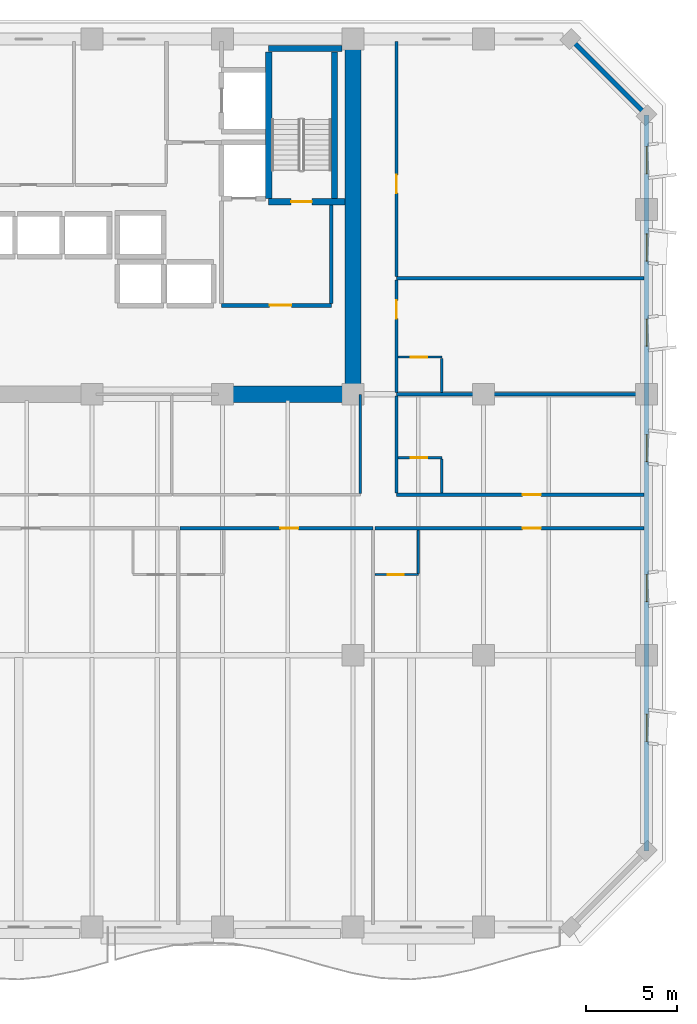
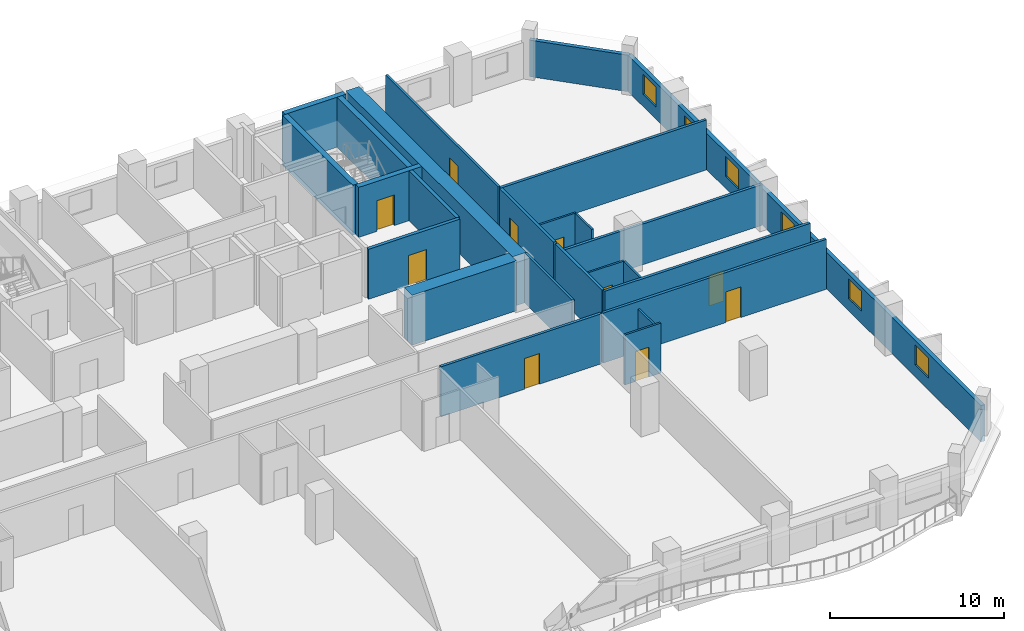
# One storey, part 10 of 15: 25 walls, 10 doors, 6 windows, 16 openings.
"""IFC4 building model written with IfcOpenShell, lengths in metres."""

from ifc_helpers import new_model, si_unit, direction, frame, frame_2d, origin, place, context, subcontext, project, spatial, rectangle, extrude, material, layer, layer_set, type_object, element, fill, save


model = new_model("IFC4")

# Units and contexts
model_context = context("Model", 3, precision=1e-05, world=origin(), true_north=direction((0.0, 1.0)))
body_context = subcontext(model_context, "Body", "Model", "MODEL_VIEW")
ifc_project = project(units=[si_unit("LENGTHUNIT", "METRE"), si_unit("AREAUNIT", "SQUARE_METRE"), si_unit("VOLUMEUNIT", "CUBIC_METRE"), si_unit("PLANEANGLEUNIT", "RADIAN"), si_unit("MASSUNIT", "GRAM", prefix="KILO")], contexts=[model_context])

# Site, building, storey
site_placement = place(None, origin())
site = spatial("IfcSite", under=ifc_project, at=site_placement, CompositionType="ELEMENT")
building_placement = place(site_placement, origin())
building = spatial("IfcBuilding", under=site, at=building_placement, Name="Kaelvorn Grand Hotel", CompositionType="ELEMENT")
storey_placement = place(building_placement, frame((0.0, 0.0, 100.550048828125)))
storey = spatial("IfcBuildingStorey", under=building, at=storey_placement, Name="L23", CompositionType="ELEMENT", Elevation=100.550048828125)

# Walls
ifc_material_1 = material(Name="Concrete C60/75", Category="concrete")
ifc_layer_1 = layer(ifc_material_1, 0.89990234375)
ifc_layer_set_1 = layer_set([ifc_layer_1], Name="Concrete C60/75")
wall_type_1 = type_object("IfcWallType", Name="WL-CORE-900-C60", PredefinedType="SHEAR", material=ifc_layer_set_1)
wall_1_placement = place(storey_placement, frame((67.800048828125, 29.39990234375, 0.0), z_axis=(0.0, 0.0, 1.0), x_axis=(0.0, 1.0, 0.0)))
element("IfcWall", 1, at=wall_1_placement, inside=storey, type_object=wall_type_1, Name="L23 Rear-Core East Shear Wall", PredefinedType="SHEAR", context=body_context, shape_type="SweptSolid", body=[
    extrude(rectangle(XDim=19.2001953125, YDim=0.89990234375, at=frame_2d((9.60009765625, 0.0))), origin(), (0.0, 0.0, 1.0), 3.510009765625),
])
wall_2_placement = place(storey_placement, frame((60.39990234375, 29.39990234375, 0.0), z_axis=(0.0, 0.0, 1.0), x_axis=(1.0, 0.0, 0.0)))
element("IfcWall", 2, at=wall_2_placement, inside=storey, type_object=wall_type_1, Name="L23 Rear-Core Coupled Shear Pier S4", PredefinedType="SHEAR", context=body_context, shape_type="SweptSolid", body=[
    extrude(rectangle(XDim=6.945068359375, YDim=0.89990234375, at=frame_2d((3.47265625, 0.0))), origin(), (0.0, 0.0, 1.0), 3.510009765625),
])

# Wall, openings, windows
ifc_material_2 = material(Name="Concrete C40/50", Category="concrete")
ifc_layer_2 = layer(ifc_material_2, 0.260009765625)
ifc_layer_set_2 = layer_set([ifc_layer_2], Name="Concrete C40/50")
wall_type_2 = type_object("IfcWallType", Name="WL-EXT-260-C40", PredefinedType="SOLIDWALL", material=ifc_layer_set_2)
wall_3_placement = place(storey_placement, frame((84.0, 4.199951171875, 0.0), z_axis=(0.0, 0.0, 1.0), x_axis=(0.0, 1.0, 0.0)))
wall_3 = element("IfcWall", 3, at=wall_3_placement, inside=storey, type_object=wall_type_2, Name="L23 Exterior Architectural Concrete Wall 03", PredefinedType="SOLIDWALL", context=body_context, shape_type="SweptSolid", body=[
    extrude(rectangle(XDim=40.60009765625, YDim=0.260009765625, at=frame_2d((20.300048828125, 0.0))), origin(), (0.0, 0.0, 1.0), 2.56005859375),
])
opening_1_placement = place(wall_3_placement, frame((6.050048828125, 0.0, 0.85009765625)))
opening_1 = element("IfcOpeningElement", 4, at=opening_1_placement, cuts=wall_3, Name="Opening W10", PredefinedType="OPENING", context=body_context, shape_type="SweptSolid", body=[
    extrude(rectangle(XDim=1.5, YDim=1.39990234375, at=frame_2d((0.75, 0.699951171875))), frame((0.0, 0.14013671875, 0.0), z_axis=(0.0, -1.0, 0.0), x_axis=(1.0, 0.0, 0.0)), (0.0, 0.0, 1.0), 0.280029296875),
])
opening_2_placement = place(wall_3_placement, frame((13.75, 0.0, 0.85009765625)))
opening_2 = element("IfcOpeningElement", 5, at=opening_2_placement, cuts=wall_3, Name="Opening W10", PredefinedType="OPENING", context=body_context, shape_type="SweptSolid", body=[
    extrude(rectangle(XDim=1.5, YDim=1.39990234375, at=frame_2d((0.75, 0.699951171875))), frame((0.0, 0.14013671875, 0.0), z_axis=(0.0, -1.0, 0.0), x_axis=(1.0, 0.0, 0.0)), (0.0, 0.0, 1.0), 0.280029296875),
])
opening_3_placement = place(wall_3_placement, frame((21.47509765625, 0.0, 0.85009765625)))
opening_3 = element("IfcOpeningElement", 6, at=opening_3_placement, cuts=wall_3, Name="Opening W10", PredefinedType="OPENING", context=body_context, shape_type="SweptSolid", body=[
    extrude(rectangle(XDim=1.5, YDim=1.39990234375, at=frame_2d((0.75, 0.699951171875))), frame((0.0, 0.14013671875, 0.0), z_axis=(0.0, -1.0, 0.0), x_axis=(1.0, 0.0, 0.0)), (0.0, 0.0, 1.0), 0.280029296875),
])
opening_4_placement = place(wall_3_placement, frame((27.85009765625, 0.0, 0.85009765625)))
opening_4 = element("IfcOpeningElement", 7, at=opening_4_placement, cuts=wall_3, Name="Opening W10", PredefinedType="OPENING", context=body_context, shape_type="SweptSolid", body=[
    extrude(rectangle(XDim=1.5, YDim=1.39990234375, at=frame_2d((0.75, 0.699951171875))), frame((0.0, 0.14013671875, 0.0), z_axis=(0.0, -1.0, 0.0), x_axis=(1.0, 0.0, 0.0)), (0.0, 0.0, 1.0), 0.280029296875),
])
opening_5_placement = place(wall_3_placement, frame((32.550048828125, 0.0, 0.85009765625)))
opening_5 = element("IfcOpeningElement", 8, at=opening_5_placement, cuts=wall_3, Name="Opening W10", PredefinedType="OPENING", context=body_context, shape_type="SweptSolid", body=[
    extrude(rectangle(XDim=1.5, YDim=1.39990234375, at=frame_2d((0.75, 0.699951171875))), frame((0.0, 0.14013671875, 0.0), z_axis=(0.0, -1.0, 0.0), x_axis=(1.0, 0.0, 0.0)), (0.0, 0.0, 1.0), 0.280029296875),
])
opening_6_placement = place(wall_3_placement, frame((37.364990234375, 0.0, 0.85009765625)))
opening_6 = element("IfcOpeningElement", 9, at=opening_6_placement, cuts=wall_3, Name="Opening W10", PredefinedType="OPENING", context=body_context, shape_type="SweptSolid", body=[
    extrude(rectangle(XDim=1.5, YDim=1.39990234375, at=frame_2d((0.75, 0.699951171875))), frame((0.0, 0.14013671875, 0.0), z_axis=(0.0, -1.0, 0.0), x_axis=(1.0, 0.0, 0.0)), (0.0, 0.0, 1.0), 0.280029296875),
])
ifc_material_3 = material(Name="Laminated Low-E Glass", Category="glass")
window_type = type_object("IfcWindowType", Name="WIN-COR-1500x1400", PartitioningType="SINGLE_PANEL", PredefinedType="WINDOW", material=ifc_material_3)
window_1_placement = place(opening_1_placement, origin())
window_1 = element("IfcWindow", 10, at=window_1_placement, inside=storey, type_object=window_type, Name="L23 E Wing Tilted-Frame Ribbon Window E01", OverallHeight=1.39990234375, OverallWidth=1.5, PartitioningType="SINGLE_PANEL", PredefinedType="WINDOW", context=body_context, shape_type="SweptSolid", body=[
    extrude(rectangle(XDim=1.5, YDim=1.39990234375, at=frame_2d((0.75, 0.699951171875))), frame((0.0, 0.030029296875, 0.0), z_axis=(0.0, -1.0, 0.0), x_axis=(1.0, 0.0, 0.0)), (0.0, 0.0, 1.0), 0.06005859375),
])
fill(opening_1, window_1)
window_2_placement = place(opening_2_placement, origin())
window_2 = element("IfcWindow", 11, at=window_2_placement, inside=storey, type_object=window_type, Name="L23 E Wing Tilted-Frame Ribbon Window E02", OverallHeight=1.39990234375, OverallWidth=1.5, PartitioningType="SINGLE_PANEL", PredefinedType="WINDOW", context=body_context, shape_type="SweptSolid", body=[
    extrude(rectangle(XDim=1.5, YDim=1.39990234375, at=frame_2d((0.75, 0.699951171875))), frame((0.0, 0.030029296875, 0.0), z_axis=(0.0, -1.0, 0.0), x_axis=(1.0, 0.0, 0.0)), (0.0, 0.0, 1.0), 0.06005859375),
])
fill(opening_2, window_2)
window_3_placement = place(opening_3_placement, origin())
window_3 = element("IfcWindow", 12, at=window_3_placement, inside=storey, type_object=window_type, Name="L23 E Wing Tilted-Frame Ribbon Window E03", OverallHeight=1.39990234375, OverallWidth=1.5, PartitioningType="SINGLE_PANEL", PredefinedType="WINDOW", context=body_context, shape_type="SweptSolid", body=[
    extrude(rectangle(XDim=1.5, YDim=1.39990234375, at=frame_2d((0.75, 0.699951171875))), frame((0.0, 0.030029296875, 0.0), z_axis=(0.0, -1.0, 0.0), x_axis=(1.0, 0.0, 0.0)), (0.0, 0.0, 1.0), 0.06005859375),
])
fill(opening_3, window_3)
window_4_placement = place(opening_4_placement, origin())
window_4 = element("IfcWindow", 13, at=window_4_placement, inside=storey, type_object=window_type, Name="L23 E Wing Tilted-Frame Ribbon Window E04", OverallHeight=1.39990234375, OverallWidth=1.5, PartitioningType="SINGLE_PANEL", PredefinedType="WINDOW", context=body_context, shape_type="SweptSolid", body=[
    extrude(rectangle(XDim=1.5, YDim=1.39990234375, at=frame_2d((0.75, 0.699951171875))), frame((0.0, 0.030029296875, 0.0), z_axis=(0.0, -1.0, 0.0), x_axis=(1.0, 0.0, 0.0)), (0.0, 0.0, 1.0), 0.06005859375),
])
fill(opening_4, window_4)
window_5_placement = place(opening_5_placement, origin())
window_5 = element("IfcWindow", 14, at=window_5_placement, inside=storey, type_object=window_type, Name="L23 E Wing Tilted-Frame Ribbon Window E05", OverallHeight=1.39990234375, OverallWidth=1.5, PartitioningType="SINGLE_PANEL", PredefinedType="WINDOW", context=body_context, shape_type="SweptSolid", body=[
    extrude(rectangle(XDim=1.5, YDim=1.39990234375, at=frame_2d((0.75, 0.699951171875))), frame((0.0, 0.030029296875, 0.0), z_axis=(0.0, -1.0, 0.0), x_axis=(1.0, 0.0, 0.0)), (0.0, 0.0, 1.0), 0.06005859375),
])
fill(opening_5, window_5)
window_6_placement = place(opening_6_placement, origin())
window_6 = element("IfcWindow", 15, at=window_6_placement, inside=storey, type_object=window_type, Name="L23 E Wing Tilted-Frame Ribbon Window E06", OverallHeight=1.39990234375, OverallWidth=1.5, PartitioningType="SINGLE_PANEL", PredefinedType="WINDOW", context=body_context, shape_type="SweptSolid", body=[
    extrude(rectangle(XDim=1.5, YDim=1.39990234375, at=frame_2d((0.75, 0.699951171875))), frame((0.0, 0.030029296875, 0.0), z_axis=(0.0, -1.0, 0.0), x_axis=(1.0, 0.0, 0.0)), (0.0, 0.0, 1.0), 0.06005859375),
])
fill(opening_6, window_6)

# Wall
wall_4_placement = place(storey_placement, frame((84.0, 44.800048828125, 0.0), z_axis=(0.0, 0.0, 1.0), x_axis=(-0.707106781187, 0.707106781187, 0.0)))
element("IfcWall", 16, at=wall_4_placement, inside=storey, type_object=wall_type_2, Name="L23 Exterior Architectural Concrete Wall 04", PredefinedType="SOLIDWALL", context=body_context, shape_type="SweptSolid", body=[
    extrude(rectangle(XDim=5.939697265625, YDim=0.260009765625, at=frame_2d((2.9697265625, 0.0))), origin(), (0.0, 0.0, 1.0), 2.56005859375),
])

# Wall, opening, door
ifc_material_4 = material(Name="Moisture-Resistant Tile & Stud Board")
ifc_layer_3 = layer(ifc_material_4, 0.125)
ifc_layer_set_3 = layer_set([ifc_layer_3], Name="Moisture-Resistant Tile & Stud Board")
wall_type_3 = type_object("IfcWallType", Name="WL-PART-125-WET", PredefinedType="PARTITIONING", material=ifc_layer_set_3)
wall_5_placement = place(storey_placement, frame((69.00244140625, 19.449951171875, 0.0), z_axis=(0.0, 0.0, 1.0), x_axis=(1.0, 0.0, 0.0)))
wall_5 = element("IfcWall", 17, at=wall_5_placement, inside=storey, type_object=wall_type_3, Name="L23 En-suite Bathroom L23-07 S Partition", PredefinedType="PARTITIONING", context=body_context, shape_type="SweptSolid", body=[
    extrude(rectangle(XDim=2.405029296875, YDim=0.125, at=frame_2d((1.20263671875, 0.0))), origin(), (0.0, 0.0, 1.0), 3.510009765625),
])
opening_7_placement = place(wall_5_placement, frame((0.705078125, 0.0, 0.0)))
opening_7 = element("IfcOpeningElement", 18, at=opening_7_placement, cuts=wall_5, Name="Opening DI4", PredefinedType="OPENING", context=body_context, shape_type="SweptSolid", body=[
    extrude(rectangle(XDim=0.89990234375, YDim=2.10009765625, at=frame_2d((0.449951171875, 1.050048828125))), frame((0.0, 0.072509765625, 0.0), z_axis=(0.0, -1.0, 0.0), x_axis=(1.0, 0.0, 0.0)), (0.0, 0.0, 1.0), 0.14501953125),
])
ifc_material_5 = material(Name="Timber Veneer Leaf", Category="wood")
door_type_1 = type_object("IfcDoorType", Name="DR-INT-BATH-900x2100", OperationType="NOTDEFINED", PredefinedType="DOOR", material=ifc_material_5)
door_1_placement = place(opening_7_placement, origin())
door_1 = element("IfcDoor", 19, at=door_1_placement, inside=storey, type_object=door_type_1, Name="L23 En-suite Bathroom L23-07 Door", OperationType="SINGLE_SWING_LEFT", OverallHeight=2.10009765625, OverallWidth=0.89990234375, PredefinedType="DOOR", context=body_context, shape_type="SweptSolid", body=[
    extrude(rectangle(XDim=0.89990234375, YDim=2.10009765625, at=frame_2d((0.449951171875, 1.050048828125))), frame((0.0, 0.02490234375, 0.0), z_axis=(0.0, -1.0, 0.0), x_axis=(1.0, 0.0, 0.0)), (0.0, 0.0, 1.0), 0.050048828125),
])
fill(opening_7, door_1)

# Wall
wall_6_placement = place(storey_placement, frame((71.407470703125, 19.517578125, 0.0), z_axis=(0.0, 0.0, 1.0), x_axis=(0.0, 1.0, 0.0)))
element("IfcWall", 20, at=wall_6_placement, inside=storey, type_object=wall_type_3, Name="L23 En-suite Bathroom L23-07 E Partition", PredefinedType="PARTITIONING", context=body_context, shape_type="SweptSolid", body=[
    extrude(rectangle(XDim=2.387451171875, YDim=0.125, at=frame_2d((1.19384765625, 0.0))), origin(), (0.0, 0.0, 1.0), 2.976806640625),
])

# Wall, opening, door
wall_7_placement = place(storey_placement, frame((70.294921875, 25.89990234375, 0.0), z_axis=(0.0, 0.0, 1.0), x_axis=(1.0, 0.0, 0.0)))
wall_7 = element("IfcWall", 21, at=wall_7_placement, inside=storey, type_object=wall_type_3, Name="L23 En-suite Bathroom L23-09 N Partition", PredefinedType="PARTITIONING", context=body_context, shape_type="SweptSolid", body=[
    extrude(rectangle(XDim=2.405029296875, YDim=0.125, at=frame_2d((1.20263671875, 0.0))), origin(), (0.0, 0.0, 1.0), 3.510009765625),
])
opening_8_placement = place(wall_7_placement, frame((0.705078125, 0.0, 0.0)))
opening_8 = element("IfcOpeningElement", 22, at=opening_8_placement, cuts=wall_7, Name="Opening DI4", PredefinedType="OPENING", context=body_context, shape_type="SweptSolid", body=[
    extrude(rectangle(XDim=0.89990234375, YDim=2.10009765625, at=frame_2d((0.449951171875, 1.050048828125))), frame((0.0, 0.072509765625, 0.0), z_axis=(0.0, -1.0, 0.0), x_axis=(1.0, 0.0, 0.0)), (0.0, 0.0, 1.0), 0.14501953125),
])
door_2_placement = place(opening_8_placement, origin())
door_2 = element("IfcDoor", 23, at=door_2_placement, inside=storey, type_object=door_type_1, Name="L23 En-suite Bathroom L23-09 Door", OperationType="SINGLE_SWING_LEFT", OverallHeight=2.10009765625, OverallWidth=0.89990234375, PredefinedType="DOOR", context=body_context, shape_type="SweptSolid", body=[
    extrude(rectangle(XDim=0.89990234375, YDim=2.10009765625, at=frame_2d((0.449951171875, 1.050048828125))), frame((0.0, 0.02490234375, 0.0), z_axis=(0.0, -1.0, 0.0), x_axis=(1.0, 0.0, 0.0)), (0.0, 0.0, 1.0), 0.050048828125),
])
fill(opening_8, door_2)

# Wall
wall_8_placement = place(storey_placement, frame((72.699951171875, 23.945068359375, 0.0), z_axis=(0.0, 0.0, 1.0), x_axis=(0.0, 1.0, 0.0)))
element("IfcWall", 24, at=wall_8_placement, inside=storey, type_object=wall_type_3, Name="L23 En-suite Bathroom L23-09 E Partition", PredefinedType="PARTITIONING", context=body_context, shape_type="SweptSolid", body=[
    extrude(rectangle(XDim=1.887451171875, YDim=0.125, at=frame_2d((0.94384765625, 0.0))), origin(), (0.0, 0.0, 1.0), 3.510009765625),
])

# Wall, opening, door
wall_9_placement = place(storey_placement, frame((70.294921875, 31.449951171875, 0.0), z_axis=(0.0, 0.0, 1.0), x_axis=(1.0, 0.0, 0.0)))
wall_9 = element("IfcWall", 25, at=wall_9_placement, inside=storey, type_object=wall_type_3, Name="L23 En-suite Bathroom L23-11 N Partition", PredefinedType="PARTITIONING", context=body_context, shape_type="SweptSolid", body=[
    extrude(rectangle(XDim=2.405029296875, YDim=0.125, at=frame_2d((1.20263671875, 0.0))), origin(), (0.0, 0.0, 1.0), 3.510009765625),
])
opening_9_placement = place(wall_9_placement, frame((0.705078125, 0.0, 0.0)))
opening_9 = element("IfcOpeningElement", 26, at=opening_9_placement, cuts=wall_9, Name="Opening DI4", PredefinedType="OPENING", context=body_context, shape_type="SweptSolid", body=[
    extrude(rectangle(XDim=0.89990234375, YDim=2.10009765625, at=frame_2d((0.449951171875, 1.050048828125))), frame((0.0, 0.072509765625, 0.0), z_axis=(0.0, -1.0, 0.0), x_axis=(1.0, 0.0, 0.0)), (0.0, 0.0, 1.0), 0.14501953125),
])
door_3_placement = place(opening_9_placement, origin())
door_3 = element("IfcDoor", 27, at=door_3_placement, inside=storey, type_object=door_type_1, Name="L23 En-suite Bathroom L23-11 Door", OperationType="SINGLE_SWING_RIGHT", OverallHeight=2.10009765625, OverallWidth=0.89990234375, PredefinedType="DOOR", context=body_context, shape_type="SweptSolid", body=[
    extrude(rectangle(XDim=0.89990234375, YDim=2.10009765625, at=frame_2d((0.449951171875, 1.050048828125))), frame((0.0, 0.02490234375, 0.0), z_axis=(0.0, -1.0, 0.0), x_axis=(1.0, 0.0, 0.0)), (0.0, 0.0, 1.0), 0.050048828125),
])
fill(opening_9, door_3)

# Walls
wall_10_placement = place(storey_placement, frame((72.699951171875, 29.4951171875, 0.0), z_axis=(0.0, 0.0, 1.0), x_axis=(0.0, 1.0, 0.0)))
element("IfcWall", 28, at=wall_10_placement, inside=storey, type_object=wall_type_3, Name="L23 En-suite Bathroom L23-11 E Partition", PredefinedType="PARTITIONING", context=body_context, shape_type="SweptSolid", body=[
    extrude(rectangle(XDim=1.887451171875, YDim=0.125, at=frame_2d((0.94384765625, 0.0))), origin(), (0.0, 0.0, 1.0), 3.510009765625),
])
ifc_material_6 = material(Name="Acoustic Gypsum & Stud Partition")
ifc_layer_4 = layer(ifc_material_6, 0.14990234375)
ifc_layer_set_4 = layer_set([ifc_layer_4], Name="Acoustic Gypsum & Stud Partition")
wall_type_4 = type_object("IfcWallType", Name="WL-PART-150-EI60", PredefinedType="PARTITIONING", material=ifc_layer_set_4)
wall_11_placement = place(storey_placement, frame((68.199951171875, 23.929931640625, 0.0), z_axis=(0.0, 0.0, 1.0), x_axis=(0.0, 1.0, 0.0)))
element("IfcWall", 29, at=wall_11_placement, inside=storey, type_object=wall_type_4, Name="L23 Executive Law Office E Partition", PredefinedType="PARTITIONING", context=body_context, shape_type="SweptSolid", body=[
    extrude(rectangle(XDim=5.4599609375, YDim=0.14990234375, at=frame_2d((2.72998046875, 0.0))), origin(), (0.0, 0.0, 1.0), 3.510009765625),
])

# Wall, opening, door
wall_12_placement = place(storey_placement, frame((70.199951171875, 35.89501953125, 0.0), z_axis=(0.0, 0.0, 1.0), x_axis=(0.0, 1.0, 0.0)))
wall_12 = element("IfcWall", 30, at=wall_12_placement, inside=storey, type_object=wall_type_4, Name="L23 North-East Summit Conference Room W Partition", PredefinedType="PARTITIONING", context=body_context, shape_type="SweptSolid", body=[
    extrude(rectangle(XDim=12.955078125, YDim=0.14990234375, at=frame_2d((6.4775390625, 0.0))), origin(), (0.0, 0.0, 1.0), 3.510009765625),
])
opening_10_placement = place(wall_12_placement, frame((4.60498046875, 0.0, 0.0)))
opening_10 = element("IfcOpeningElement", 31, at=opening_10_placement, cuts=wall_12, Name="Opening DI3", PredefinedType="OPENING", context=body_context, shape_type="SweptSolid", body=[
    extrude(rectangle(XDim=1.0, YDim=2.14990234375, at=frame_2d((0.5, 1.074951171875))), frame((0.0, 0.0849609375, 0.0), z_axis=(0.0, -1.0, 0.0), x_axis=(1.0, 0.0, 0.0)), (0.0, 0.0, 1.0), 0.169921875),
])
ifc_material_7 = material(Name="Timber Veneer Fire Leaf", Category="wood")
door_type_2 = type_object("IfcDoorType", Name="DR-INT-GUEST-1000x2150", OperationType="NOTDEFINED", PredefinedType="DOOR", material=ifc_material_7)
door_4_placement = place(opening_10_placement, origin())
door_4 = element("IfcDoor", 32, at=door_4_placement, inside=storey, type_object=door_type_2, Name="L23 North-East Summit Conference Room Door", OperationType="SINGLE_SWING_LEFT", OverallHeight=2.14990234375, OverallWidth=1.0, PredefinedType="DOOR", context=body_context, shape_type="SweptSolid", body=[
    extrude(rectangle(XDim=1.0, YDim=2.14990234375, at=frame_2d((0.5, 1.074951171875))), frame((0.0, 0.02490234375, 0.0), z_axis=(0.0, -1.0, 0.0), x_axis=(1.0, 0.0, 0.0)), (0.0, 0.0, 1.0), 0.050048828125),
])
fill(opening_10, door_4)

ifc_layer_5 = layer(ifc_material_6, 0.179931640625)
ifc_layer_set_5 = layer_set([ifc_layer_5], Name="Acoustic Gypsum & Stud Partition")
wall_type_5 = type_object("IfcWallType", Name="WL-PART-180-EI60", PredefinedType="PARTITIONING", material=ifc_layer_set_5)
wall_13_placement = place(storey_placement, frame((58.259521484375, 22.0, 0.0), z_axis=(0.0, 0.0, 1.0), x_axis=(1.0, 0.0, 0.0)))
wall_13 = element("IfcWall", 33, at=wall_13_placement, inside=storey, type_object=wall_type_5, Name="L23 Deluxe Panoramic Suite L23-06 N Partition", PredefinedType="PARTITIONING", context=body_context, shape_type="SweptSolid", body=[
    extrude(rectangle(XDim=10.64794921875, YDim=0.179931640625, at=frame_2d((5.323974609375, 0.0))), origin(), (0.0, 0.0, 1.0), 3.510009765625),
])
opening_11_placement = place(wall_13_placement, frame((5.53271484375, 0.0, 0.0)))
opening_11 = element("IfcOpeningElement", 34, at=opening_11_placement, cuts=wall_13, Name="Opening DI3", PredefinedType="OPENING", context=body_context, shape_type="SweptSolid", body=[
    extrude(rectangle(XDim=1.0, YDim=2.14990234375, at=frame_2d((0.5, 1.074951171875))), frame((0.0, 0.10009765625, 0.0), z_axis=(0.0, -1.0, 0.0), x_axis=(1.0, 0.0, 0.0)), (0.0, 0.0, 1.0), 0.199951171875),
])
door_5_placement = place(opening_11_placement, origin())
door_5 = element("IfcDoor", 35, at=door_5_placement, inside=storey, type_object=door_type_2, Name="L23 Deluxe Panoramic Suite L23-06 Door", OperationType="SINGLE_SWING_RIGHT", OverallHeight=2.14990234375, OverallWidth=1.0, PredefinedType="DOOR", context=body_context, shape_type="SweptSolid", body=[
    extrude(rectangle(XDim=1.0, YDim=2.14990234375, at=frame_2d((0.5, 1.074951171875))), frame((0.0, 0.02490234375, 0.0), z_axis=(0.0, -1.0, 0.0), x_axis=(1.0, 0.0, 0.0)), (0.0, 0.0, 1.0), 0.050048828125),
])
fill(opening_11, door_5)

wall_14_placement = place(storey_placement, frame((69.00244140625, 22.0, 0.0), z_axis=(0.0, 0.0, 1.0), x_axis=(1.0, 0.0, 0.0)))
wall_14 = element("IfcWall", 36, at=wall_14_placement, inside=storey, type_object=wall_type_5, Name="L23 Presidential Sky Suite L23-07 N Partition", PredefinedType="PARTITIONING", context=body_context, shape_type="SweptSolid", body=[
    extrude(rectangle(XDim=14.84765625, YDim=0.179931640625, at=frame_2d((7.423828125, 0.0))), origin(), (0.0, 0.0, 1.0), 3.510009765625),
])
opening_12_placement = place(wall_14_placement, frame((8.16259765625, 0.0, 0.0)))
opening_12 = element("IfcOpeningElement", 37, at=opening_12_placement, cuts=wall_14, Name="Opening DI3", PredefinedType="OPENING", context=body_context, shape_type="SweptSolid", body=[
    extrude(rectangle(XDim=1.0, YDim=2.14990234375, at=frame_2d((0.5, 1.074951171875))), frame((0.0, 0.10009765625, 0.0), z_axis=(0.0, -1.0, 0.0), x_axis=(1.0, 0.0, 0.0)), (0.0, 0.0, 1.0), 0.199951171875),
])
door_6_placement = place(opening_12_placement, origin())
door_6 = element("IfcDoor", 38, at=door_6_placement, inside=storey, type_object=door_type_2, Name="L23 Presidential Sky Suite L23-07 Door", OperationType="SINGLE_SWING_RIGHT", OverallHeight=2.14990234375, OverallWidth=1.0, PredefinedType="DOOR", context=body_context, shape_type="SweptSolid", body=[
    extrude(rectangle(XDim=1.0, YDim=2.14990234375, at=frame_2d((0.5, 1.074951171875))), frame((0.0, 0.02490234375, 0.0), z_axis=(0.0, -1.0, 0.0), x_axis=(1.0, 0.0, 0.0)), (0.0, 0.0, 1.0), 0.050048828125),
])
fill(opening_12, door_6)

wall_15_placement = place(storey_placement, frame((70.199951171875, 23.85009765625, 0.0), z_axis=(0.0, 0.0, 1.0), x_axis=(1.0, 0.0, 0.0)))
wall_15 = element("IfcWall", 39, at=wall_15_placement, inside=storey, type_object=wall_type_5, Name="L23 East Chamfer Corner Suite L23-09 S Partition", PredefinedType="PARTITIONING", context=body_context, shape_type="SweptSolid", body=[
    extrude(rectangle(XDim=13.650146484375, YDim=0.179931640625, at=frame_2d((6.8251953125, 0.0))), origin(), (0.0, 0.0, 1.0), 3.510009765625),
])
opening_13_placement = place(wall_15_placement, frame((6.965087890625, 0.0, 0.0)))
opening_13 = element("IfcOpeningElement", 40, at=opening_13_placement, cuts=wall_15, Name="Opening DI3", PredefinedType="OPENING", context=body_context, shape_type="SweptSolid", body=[
    extrude(rectangle(XDim=1.0, YDim=2.14990234375, at=frame_2d((0.5, 1.074951171875))), frame((0.0, 0.10009765625, 0.0), z_axis=(0.0, -1.0, 0.0), x_axis=(1.0, 0.0, 0.0)), (0.0, 0.0, 1.0), 0.199951171875),
])
door_7_placement = place(opening_13_placement, origin())
door_7 = element("IfcDoor", 41, at=door_7_placement, inside=storey, type_object=door_type_2, Name="L23 East Chamfer Corner Suite L23-09 Door", OperationType="SINGLE_SWING_RIGHT", OverallHeight=2.14990234375, OverallWidth=1.0, PredefinedType="DOOR", context=body_context, shape_type="SweptSolid", body=[
    extrude(rectangle(XDim=1.0, YDim=2.14990234375, at=frame_2d((0.5, 1.074951171875))), frame((0.0, 0.02490234375, 0.0), z_axis=(0.0, -1.0, 0.0), x_axis=(1.0, 0.0, 0.0)), (0.0, 0.0, 1.0), 0.050048828125),
])
fill(opening_13, door_7)

# Walls
wall_16_placement = place(storey_placement, frame((70.199951171875, 29.39990234375, 0.0), z_axis=(0.0, 0.0, 1.0), x_axis=(1.0, 0.0, 0.0)))
element("IfcWall", 42, at=wall_16_placement, inside=storey, type_object=wall_type_5, Name="L23 East Chamfer Corner Suite L23-09 N Partition", PredefinedType="PARTITIONING", context=body_context, shape_type="SweptSolid", body=[
    extrude(rectangle(XDim=13.650146484375, YDim=0.179931640625, at=frame_2d((6.8251953125, 0.0))), origin(), (0.0, 0.0, 1.0), 2.85986328125),
])
wall_17_placement = place(storey_placement, frame((70.199951171875, 23.945068359375, 0.0), z_axis=(0.0, 0.0, 1.0), x_axis=(0.0, 1.0, 0.0)))
element("IfcWall", 43, at=wall_17_placement, inside=storey, type_object=wall_type_5, Name="L23 East Chamfer Corner Suite L23-09 W Partition", PredefinedType="PARTITIONING", context=body_context, shape_type="SweptSolid", body=[
    extrude(rectangle(XDim=5.35986328125, YDim=0.179931640625, at=frame_2d((2.679931640625, 0.0))), origin(), (0.0, 0.0, 1.0), 3.510009765625),
])
wall_18_placement = place(storey_placement, frame((70.199951171875, 35.800048828125, 0.0), z_axis=(0.0, 0.0, 1.0), x_axis=(1.0, 0.0, 0.0)))
element("IfcWall", 44, at=wall_18_placement, inside=storey, type_object=wall_type_5, Name="L23 North-East Wing Suite L23-11 N Partition", PredefinedType="PARTITIONING", context=body_context, shape_type="SweptSolid", body=[
    extrude(rectangle(XDim=13.650146484375, YDim=0.179931640625, at=frame_2d((6.8251953125, 0.0))), origin(), (0.0, 0.0, 1.0), 3.510009765625),
])

# Wall, opening, door
wall_19_placement = place(storey_placement, frame((70.199951171875, 29.4951171875, 0.0), z_axis=(0.0, 0.0, 1.0), x_axis=(0.0, 1.0, 0.0)))
wall_19 = element("IfcWall", 45, at=wall_19_placement, inside=storey, type_object=wall_type_5, Name="L23 North-East Wing Suite L23-11 W Partition", PredefinedType="PARTITIONING", context=body_context, shape_type="SweptSolid", body=[
    extrude(rectangle(XDim=6.2099609375, YDim=0.179931640625, at=frame_2d((3.10498046875, 0.0))), origin(), (0.0, 0.0, 1.0), 3.510009765625),
])
opening_14_placement = place(wall_19_placement, frame((4.080078125, 0.0, 0.0)))
opening_14 = element("IfcOpeningElement", 46, at=opening_14_placement, cuts=wall_19, Name="Opening DI3", PredefinedType="OPENING", context=body_context, shape_type="SweptSolid", body=[
    extrude(rectangle(XDim=1.0, YDim=2.14990234375, at=frame_2d((0.5, 1.074951171875))), frame((0.0, 0.10009765625, 0.0), z_axis=(0.0, -1.0, 0.0), x_axis=(1.0, 0.0, 0.0)), (0.0, 0.0, 1.0), 0.199951171875),
])
door_8_placement = place(opening_14_placement, origin())
door_8 = element("IfcDoor", 47, at=door_8_placement, inside=storey, type_object=door_type_2, Name="L23 North-East Wing Suite L23-11 Door", OperationType="SINGLE_SWING_LEFT", OverallHeight=2.14990234375, OverallWidth=1.0, PredefinedType="DOOR", context=body_context, shape_type="SweptSolid", body=[
    extrude(rectangle(XDim=1.0, YDim=2.14990234375, at=frame_2d((0.5, 1.074951171875))), frame((0.0, 0.02490234375, 0.0), z_axis=(0.0, -1.0, 0.0), x_axis=(1.0, 0.0, 0.0)), (0.0, 0.0, 1.0), 0.050048828125),
])
fill(opening_14, door_8)

ifc_layer_6 = layer(ifc_material_2, 0.219970703125)
ifc_layer_set_6 = layer_set([ifc_layer_6], Name="Concrete C40/50")
wall_type_6 = type_object("IfcWallType", Name="WL-PART-220-EI120", PredefinedType="PARTITIONING", material=ifc_layer_set_6)
wall_20_placement = place(storey_placement, frame((60.550048828125, 34.300048828125, 0.0), z_axis=(0.0, 0.0, 1.0), x_axis=(1.0, 0.0, 0.0)))
wall_20 = element("IfcWall", 48, at=wall_20_placement, inside=storey, type_object=wall_type_6, Name="L23 Firefighting Lift Lobby 2 S Partition", PredefinedType="PARTITIONING", context=body_context, shape_type="SweptSolid", body=[
    extrude(rectangle(XDim=6.050048828125, YDim=0.219970703125, at=frame_2d((3.02490234375, 0.0))), origin(), (0.0, 0.0, 1.0), 3.510009765625),
])
opening_15_placement = place(wall_20_placement, frame((2.64990234375, 0.0, 0.0)))
opening_15 = element("IfcOpeningElement", 49, at=opening_15_placement, cuts=wall_20, Name="Opening DI2", PredefinedType="OPENING", context=body_context, shape_type="SweptSolid", body=[
    extrude(rectangle(XDim=1.199951171875, YDim=2.14990234375, at=frame_2d((0.60009765625, 1.074951171875))), frame((0.0, 0.1201171875, 0.0), z_axis=(0.0, -1.0, 0.0), x_axis=(1.0, 0.0, 0.0)), (0.0, 0.0, 1.0), 0.239990234375),
])
door_type_3 = type_object("IfcDoorType", Name="DR-INT-FFLOB-1200x2150", OperationType="NOTDEFINED", PredefinedType="DOOR", material=ifc_material_7)
door_9_placement = place(opening_15_placement, origin())
door_9 = element("IfcDoor", 50, at=door_9_placement, inside=storey, type_object=door_type_3, Name="L23 Firefighting Lift Lobby 2 Door", OperationType="SINGLE_SWING_RIGHT", OverallHeight=2.14990234375, OverallWidth=1.199951171875, PredefinedType="DOOR", context=body_context, shape_type="SweptSolid", body=[
    extrude(rectangle(XDim=1.199951171875, YDim=2.14990234375, at=frame_2d((0.60009765625, 1.074951171875))), frame((0.0, 0.02490234375, 0.0), z_axis=(0.0, -1.0, 0.0), x_axis=(1.0, 0.0, 0.0)), (0.0, 0.0, 1.0), 0.050048828125),
])
fill(opening_15, door_9)

# Wall
wall_21_placement = place(storey_placement, frame((66.60009765625, 34.4150390625, 0.0), z_axis=(0.0, 0.0, 1.0), x_axis=(0.0, 1.0, 0.0)))
element("IfcWall", 51, at=wall_21_placement, inside=storey, type_object=wall_type_6, Name="L23 Firefighting Lift Lobby 2 E Partition", PredefinedType="PARTITIONING", context=body_context, shape_type="SweptSolid", body=[
    extrude(rectangle(XDim=5.429931640625, YDim=0.219970703125, at=frame_2d((2.71484375, 0.0))), origin(), (0.0, 0.0, 1.0), 3.510009765625),
])

# Wall, opening, door
ifc_layer_7 = layer(ifc_material_1, 0.35009765625)
ifc_layer_set_7 = layer_set([ifc_layer_7], Name="Concrete C60/75")
wall_type_7 = type_object("IfcWallType", Name="WL-SHAFT-350-C60", PredefinedType="SHEAR", material=ifc_layer_set_7)
wall_22_placement = place(storey_placement, frame((63.14501953125, 40.02490234375, 0.0), z_axis=(0.0, 0.0, 1.0), x_axis=(1.0, 0.0, 0.0)))
wall_22 = element("IfcWall", 52, at=wall_22_placement, inside=storey, type_object=wall_type_7, Name="L23 ST3 Stair Shaft South Wall", PredefinedType="SHEAR", context=body_context, shape_type="SweptSolid", body=[
    extrude(rectangle(XDim=4.199951171875, YDim=0.35009765625, at=frame_2d((2.10009765625, 0.0))), origin(), (0.0, 0.0, 1.0), 3.510009765625),
])
opening_16_placement = place(wall_22_placement, frame((1.239990234375, 0.0, 0.0)))
opening_16 = element("IfcOpeningElement", 53, at=opening_16_placement, cuts=wall_22, Name="Opening DI1", PredefinedType="OPENING", context=body_context, shape_type="SweptSolid", body=[
    extrude(rectangle(XDim=1.14990234375, YDim=2.14990234375, at=frame_2d((0.574951171875, 1.074951171875))), frame((0.0, 0.18505859375, 0.0), z_axis=(0.0, -1.0, 0.0), x_axis=(1.0, 0.0, 0.0)), (0.0, 0.0, 1.0), 0.3701171875),
])
door_type_4 = type_object("IfcDoorType", Name="DR-INT-STAIR-1150x2150", OperationType="NOTDEFINED", PredefinedType="DOOR", material=ifc_material_7)
door_10_placement = place(opening_16_placement, origin())
door_10 = element("IfcDoor", 54, at=door_10_placement, inside=storey, type_object=door_type_4, Name="L23 ST3 Exit Stair Fire Door", OperationType="SINGLE_SWING_RIGHT", OverallHeight=2.14990234375, OverallWidth=1.14990234375, PredefinedType="DOOR", context=body_context, shape_type="SweptSolid", body=[
    extrude(rectangle(XDim=1.14990234375, YDim=2.14990234375, at=frame_2d((0.574951171875, 1.074951171875))), frame((0.0, 0.02490234375, 0.0), z_axis=(0.0, -1.0, 0.0), x_axis=(1.0, 0.0, 0.0)), (0.0, 0.0, 1.0), 0.050048828125),
])
fill(opening_16, door_10)

# Walls
wall_23_placement = place(storey_placement, frame((63.14501953125, 48.47509765625, 0.0), z_axis=(0.0, 0.0, 1.0), x_axis=(1.0, 0.0, 0.0)))
element("IfcWall", 55, at=wall_23_placement, inside=storey, type_object=wall_type_7, Name="L23 ST3 Stair Shaft North Wall", PredefinedType="SHEAR", context=body_context, shape_type="SweptSolid", body=[
    extrude(rectangle(XDim=4.050048828125, YDim=0.35009765625, at=frame_2d((2.02490234375, 0.0))), origin(), (0.0, 0.0, 1.0), 3.510009765625),
])
for number, where, z_axis, x_axis, name in (
    (56, (63.14501953125, 40.205078125, 0.0), (0.0, 0.0, 1.0), (0.0, 1.0, 0.0), "L23 ST3 Stair Shaft West Wall"),
    (57, (66.77490234375, 40.205078125, 0.0), (0.0, 0.0, 1.0), (0.0, 1.0, 0.0), "L23 ST3 Stair Shaft East Wall"),
):
    element("IfcWall", number, at=place(storey_placement, frame(where, z_axis=z_axis, x_axis=x_axis)), inside=storey, type_object=wall_type_7, Name=name, PredefinedType="SHEAR", context=body_context, shape_type="SweptSolid", body=[
        extrude(rectangle(XDim=8.08984375, YDim=0.35009765625, at=frame_2d((4.044921875, 0.0))), origin(), (0.0, 0.0, 1.0), 3.510009765625),
    ])

save(model, "model.ifc")
